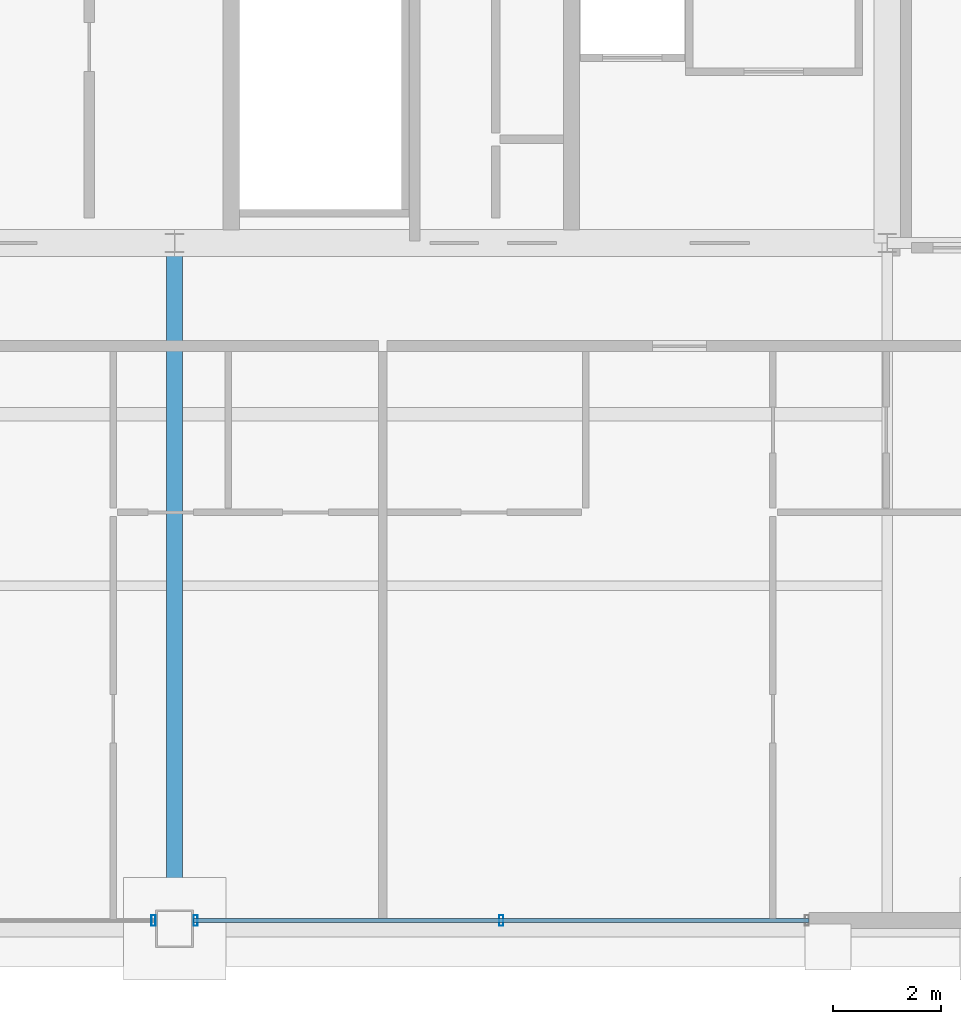
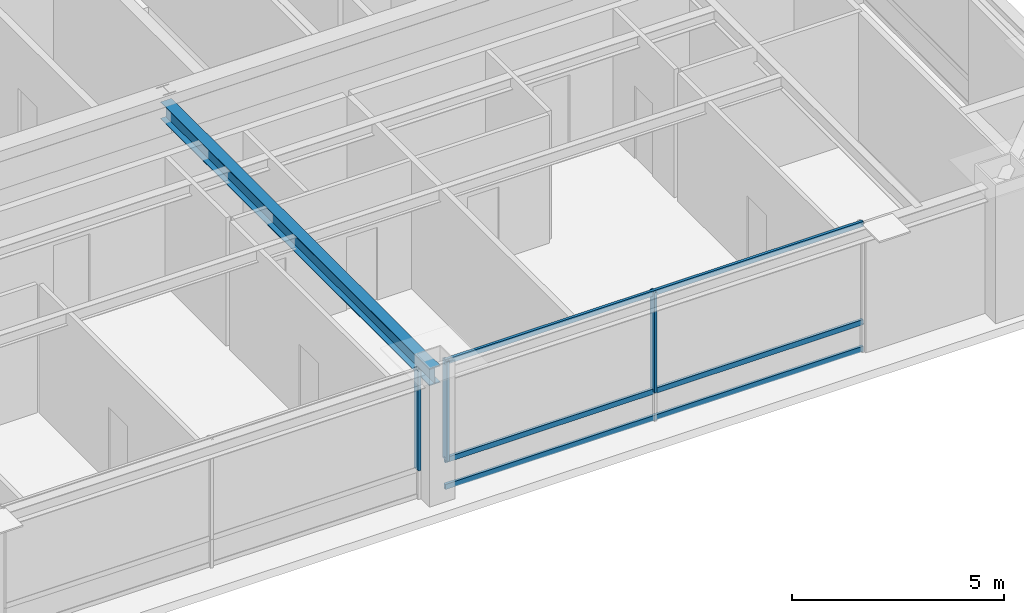
# One storey, part 8 of 34: 6 members, 1 beam, 2 elements without a shape of their own.
"""IFC4 building model written with IfcOpenShell, lengths in metres."""

from ifc_helpers import new_model, si_unit, direction, frame, origin, origin_2d, place, context, subcontext, project, spatial, hollow_rectangle, i_section, extrude, source, transform, mapped, material, layer, layer_set, material_profile, profile_set, type_object, element, aggregate, save


model = new_model("IFC4")

# Units and contexts
model_context = context("Model", 3, precision=1e-05, world=origin(), true_north=direction((0.0, 1.0)))
body_context = subcontext(model_context, "Body", "Model", "MODEL_VIEW")
ifc_project = project(units=[si_unit("LENGTHUNIT", "METRE"), si_unit("AREAUNIT", "SQUARE_METRE"), si_unit("VOLUMEUNIT", "CUBIC_METRE"), si_unit("PLANEANGLEUNIT", "RADIAN"), si_unit("MASSUNIT", "GRAM", prefix="KILO"), si_unit("THERMODYNAMICTEMPERATUREUNIT", "KELVIN"), si_unit("POWERUNIT", "WATT")], contexts=[model_context])

# Site, building, storey
site_placement = place(None, origin())
site = spatial("IfcSite", under=ifc_project, at=site_placement, CompositionType="ELEMENT")
building_placement = place(site_placement, origin())
building = spatial("IfcBuilding", under=site, at=building_placement, Name="Yuzanri Waterfront Tower", CompositionType="ELEMENT")
storey_placement = place(building_placement, frame((0.0, 0.0, 347.199951171875)))
storey = spatial("IfcBuildingStorey", under=building, at=storey_placement, Name="L93", CompositionType="ELEMENT", Elevation=347.199951171875)

# Beam
ifc_material_1 = material(Name="Steel Q355B", Category="steel")
ifc_material_profile_1 = material_profile(ifc_material_1, i_section(OverallWidth=0.300048828125, OverallDepth=0.488037109375, WebThickness=0.010986328125, FlangeThickness=0.01806640625, at=origin_2d()), Name="HM 488x300x11x18")
ifc_profile_set_1 = profile_set([ifc_material_profile_1], Name="Steel Q355B")
beam_type = type_object("IfcBeamType", Name="Primary Floor Girder Q355B HM 488x300", PredefinedType="BEAM", material=ifc_profile_set_1)
shared_shape_1 = source(origin(), body_context, "Body", "SweptSolid", [
    extrude(i_section(OverallWidth=0.300048828125, OverallDepth=0.488037109375, WebThickness=0.010986328125, FlangeThickness=0.01806640625, at=origin_2d()), origin(), (0.0, 0.0, 1.0), 12.699951171875),
])
beam_placement = place(storey_placement, frame((37.0, 19.39990234375, 3.4560546875), z_axis=(0.0, -1.0, 0.0), x_axis=(1.0, 0.0, 0.0)))
element("IfcBeam", 1, at=beam_placement, inside=storey, type_object=beam_type, Name="L93 South Grid Girder", PredefinedType="BEAM", context=body_context, shape_type="MappedRepresentation", body=[
    mapped(shared_shape_1, transform((0.0, 0.0, 0.0), scale=1.0)),
])

# Curtain wall, members
ifc_material_2 = material(Name="Anodized Architectural Bronze", Category="metal")
ifc_layer = layer(ifc_material_2, 0.159912109375)
ifc_layer_set = layer_set([ifc_layer], Name="Anodized Architectural Bronze")
curtain_wall_type = type_object("IfcCurtainWallType", Name="Anodized Bronze High-Rise Penthouse High-Wind Unitized Curtain Wall 6900", PredefinedType="NOTDEFINED", material=ifc_layer_set)
curtain_wall_1_placement = place(storey_placement, origin())
curtain_wall_1 = element("IfcCurtainWall", 2, at=curtain_wall_1_placement, inside=storey, type_object=curtain_wall_type, Name="L93 Curtain Wall CW-L93-SR", PredefinedType="NOTDEFINED")
ifc_material_3 = material(Name="Anodized Architectural Bronze", Category="metal")
ifc_material_profile_2 = material_profile(ifc_material_3, hollow_rectangle(XDim=0.074951171875, YDim=0.14990234375, WallThickness=0.00390625, at=origin_2d()), Name="CWT 75x150")
ifc_profile_set_2 = profile_set([ifc_material_profile_2], Name="Anodized Architectural Bronze")
member_type_1 = type_object("IfcMemberType", Name="Anodized Bronze Primary Curtain-Wall Transom 75x150", PredefinedType="USERDEFINED", material=ifc_profile_set_2)
shared_shape_2 = source(origin(), body_context, "Body", "SweptSolid", [
    extrude(hollow_rectangle(XDim=0.074951171875, YDim=0.14990234375, WallThickness=0.00390625, at=origin_2d()), origin(), (0.0, 0.0, 1.0), 11.39990234375),
])
member_1_placement = place(storey_placement, frame((37.35009765625, 6.85009765625, 0.050048828125), z_axis=(1.0, 0.0, 0.0), x_axis=(0.0, 1.0, 0.0)))
member_1 = element("IfcMember", 3, at=member_1_placement, type_object=member_type_1, Name="CW-L93-SR Transom 1", ObjectType="TRANSOM", PredefinedType="USERDEFINED", context=body_context, shape_type="MappedRepresentation", body=[
    mapped(shared_shape_2, transform((0.0, 0.0, 0.0), scale=1.0)),
])
member_2_placement = place(storey_placement, frame((37.35009765625, 6.85009765625, 0.820068359375), z_axis=(1.0, 0.0, 0.0), x_axis=(0.0, 1.0, 0.0)))
member_2 = element("IfcMember", 4, at=member_2_placement, type_object=member_type_1, Name="CW-L93-SR Transom 2", ObjectType="TRANSOM", PredefinedType="USERDEFINED", context=body_context, shape_type="MappedRepresentation", body=[
    mapped(shared_shape_2, transform((0.0, 0.0, 0.0), scale=1.0)),
])
member_3_placement = place(storey_placement, frame((37.35009765625, 6.85009765625, 3.650146484375), z_axis=(1.0, 0.0, 0.0), x_axis=(0.0, 1.0, 0.0)))
member_3 = element("IfcMember", 5, at=member_3_placement, type_object=member_type_1, Name="CW-L93-SR Transom 3", ObjectType="TRANSOM", PredefinedType="USERDEFINED", context=body_context, shape_type="MappedRepresentation", body=[
    mapped(shared_shape_2, transform((0.0, 0.0, 0.0), scale=1.0)),
])

# Curtain wall, member
curtain_wall_2_placement = place(storey_placement, origin())
curtain_wall_2 = element("IfcCurtainWall", 6, at=curtain_wall_2_placement, inside=storey, type_object=curtain_wall_type, Name="L93 Curtain Wall CW-L93-SL", PredefinedType="NOTDEFINED")
ifc_material_4 = material(Name="Anodized Architectural Bronze", Category="metal")
ifc_material_profile_3 = material_profile(ifc_material_4, hollow_rectangle(XDim=0.074951171875, YDim=0.199951171875, WallThickness=0.00390625, at=origin_2d()), Name="CWM 75x200")
ifc_profile_set_3 = profile_set([ifc_material_profile_3], Name="Anodized Architectural Bronze")
member_type_2 = type_object("IfcMemberType", Name="Anodized Bronze Primary Curtain-Wall Mullion 75x200", PredefinedType="MULLION", material=ifc_profile_set_3)
shared_shape_3 = source(origin(), body_context, "Body", "SweptSolid", [
    extrude(hollow_rectangle(XDim=0.074951171875, YDim=0.199951171875, WallThickness=0.00390625, at=origin_2d()), origin(), (0.0, 0.0, 1.0), 2.8779296875),
])
member_4_placement = place(storey_placement, frame((36.610107421875, 6.85009765625, 0.822021484375), z_axis=(0.0, 0.0, 1.0), x_axis=(1.0, 0.0, 0.0)))
member_4 = element("IfcMember", 7, at=member_4_placement, type_object=member_type_2, Name="CW-L93-SL Upper Mullion 02", PredefinedType="MULLION", context=body_context, shape_type="MappedRepresentation", body=[
    mapped(shared_shape_3, transform((0.0, 0.0, 0.0), scale=1.0)),
])
aggregate(curtain_wall_2, [member_4])

# Member
member_5_placement = place(storey_placement, frame((37.389892578125, 6.85009765625, 0.822021484375), z_axis=(0.0, 0.0, 1.0), x_axis=(1.0, 0.0, 0.0)))
member_5 = element("IfcMember", 8, at=member_5_placement, type_object=member_type_2, Name="CW-L93-SR Upper Mullion 00", PredefinedType="MULLION", context=body_context, shape_type="MappedRepresentation", body=[
    mapped(shared_shape_3, transform((0.0, 0.0, 0.0), scale=1.0)),
])

member_6_placement = place(storey_placement, frame((43.050048828125, 6.85009765625, 0.822021484375), z_axis=(0.0, 0.0, 1.0), x_axis=(1.0, 0.0, 0.0)))
member_6 = element("IfcMember", 9, at=member_6_placement, type_object=member_type_2, Name="CW-L93-SR Upper Mullion 01", PredefinedType="MULLION", context=body_context, shape_type="MappedRepresentation", body=[
    mapped(shared_shape_3, transform((0.0, 0.0, 0.0), scale=1.0)),
])

aggregate(curtain_wall_1, [member_5, member_6, member_1, member_2, member_3])

save(model, "model.ifc")
